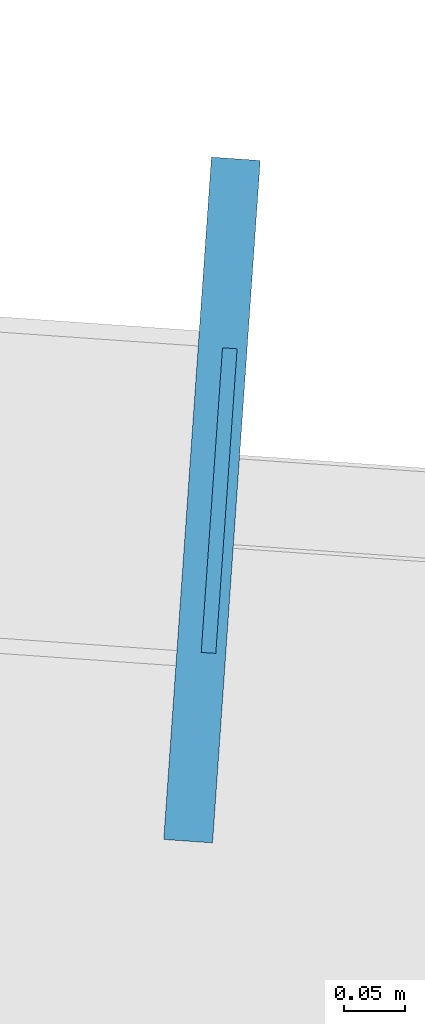
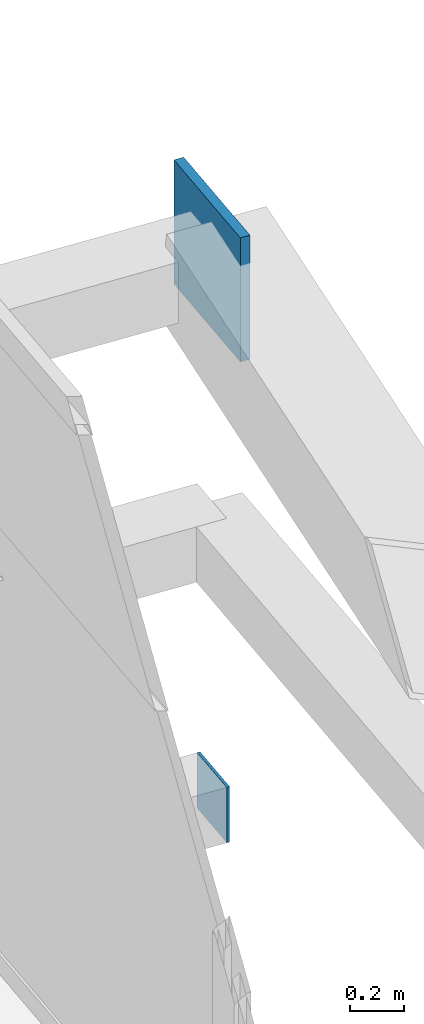
# One storey, part 37 of 47: 2 plates.
"""IFC4 building model written with IfcOpenShell, lengths in metres."""

from ifc_helpers import new_model, si_unit, direction, frame, origin, origin_2d, place, context, subcontext, project, spatial, rectangle, extrude, source, transform, mapped, material, layer, layer_set, type_object, element, save


model = new_model("IFC4")

# Units and contexts
model_context = context("Model", 3, precision=1e-05, world=origin(), true_north=direction((0.0, 1.0)))
body_context = subcontext(model_context, "Body", "Model", "MODEL_VIEW")
ifc_project = project(units=[si_unit("LENGTHUNIT", "METRE"), si_unit("AREAUNIT", "SQUARE_METRE"), si_unit("VOLUMEUNIT", "CUBIC_METRE"), si_unit("PLANEANGLEUNIT", "RADIAN"), si_unit("MASSUNIT", "GRAM", prefix="KILO")], contexts=[model_context])

# Site, building, storey
site_placement = place(None, origin())
site = spatial("IfcSite", under=ifc_project, at=site_placement, CompositionType="ELEMENT")
building_placement = place(site_placement, origin())
building = spatial("IfcBuilding", under=site, at=building_placement, Name="Taldren Reach Tower", CompositionType="ELEMENT")
storey_placement = place(building_placement, frame((0.0, 0.0, 142.449951171875)))
storey = spatial("IfcBuildingStorey", under=building, at=storey_placement, Name="L43", CompositionType="ELEMENT", Elevation=142.449951171875)

# Plates
ifc_material_1 = material(Name="Steel Gr 450 (C450L0)", Category="steel")
ifc_layer_1 = layer(ifc_material_1, 0.0400390625)
ifc_layer_set_1 = layer_set([ifc_layer_1], Name="Steel Gr 450 (C450L0)")
plate_type_1 = type_object("IfcPlateType", Name="PL-GUSSET-40", PredefinedType="SHEET", material=ifc_layer_set_1)
shared_shape_1 = source(origin(), body_context, "Body", "SweptSolid", [
    extrude(rectangle(XDim=0.56005859375, YDim=0.0400390625, at=origin_2d()), origin(), (0.0, 0.0, 1.0), 0.56005859375),
])
plate_1_placement = place(storey_placement, frame((62.87744140625, 30.992431640625, 2.3701171875), z_axis=(0.0, 0.0, 1.0), x_axis=(0.069756473744, 0.99756405026, 0.0)))
element("IfcPlate", 1, at=plate_1_placement, inside=storey, type_object=plate_type_1, Name="Exoskeleton star-node gusset plate B3-E3 L43", PredefinedType="SHEET", context=body_context, shape_type="MappedRepresentation", body=[
    mapped(shared_shape_1, transform((0.0, 0.0, 0.0), scale=1.0)),
])
ifc_material_2 = material(Name="Steel Gr 350 (C350L0)", Category="steel")
ifc_layer_2 = layer(ifc_material_2, 0.011962890625)
ifc_layer_set_2 = layer_set([ifc_layer_2], Name="Steel Gr 350 (C350L0)")
plate_type_2 = type_object("IfcPlateType", Name="PL-CAP-250", PredefinedType="SHEET", material=ifc_layer_set_2)
shared_shape_2 = source(origin(), body_context, "Body", "SweptSolid", [
    extrude(rectangle(XDim=0.011962890625, YDim=0.25, at=origin_2d()), origin(), (0.0, 0.0, 1.0), 0.25),
])
plate_2_placement = place(storey_placement, frame((62.88330078125, 30.991943359375, 0.094970703125), z_axis=(0.0, 0.0, 1.0), x_axis=(0.99756405026, -0.069756473744, 0.0)))
element("IfcPlate", 2, at=plate_2_placement, inside=storey, type_object=plate_type_2, Name="Tie strut end cap plate B3-E3 L43", PredefinedType="SHEET", context=body_context, shape_type="MappedRepresentation", body=[
    mapped(shared_shape_2, transform((0.0, 0.0, 0.0), scale=1.0)),
])

save(model, "model.ifc")
